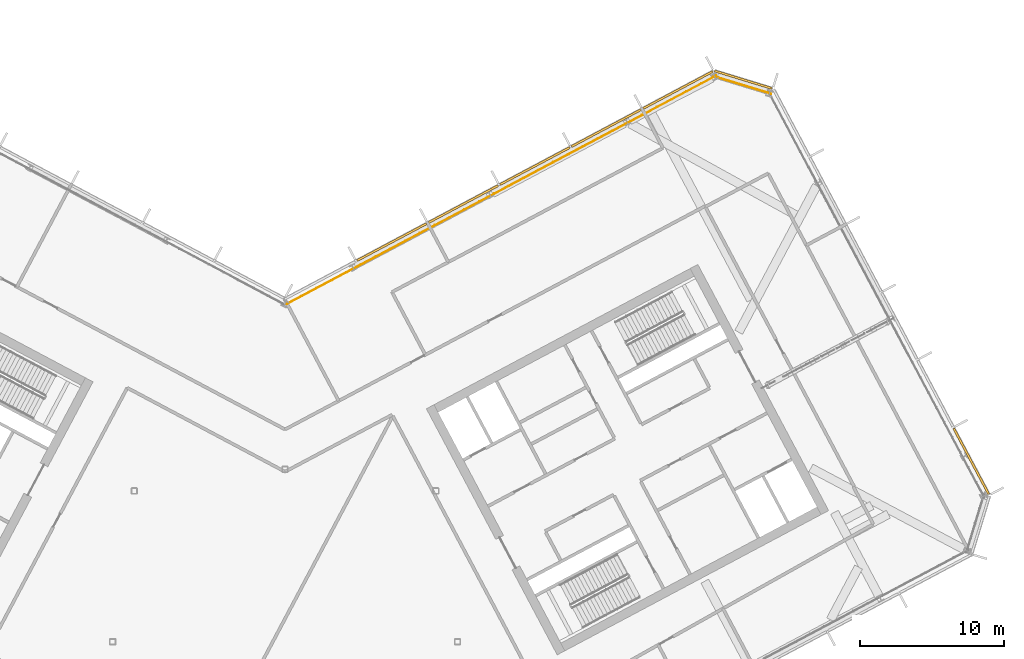
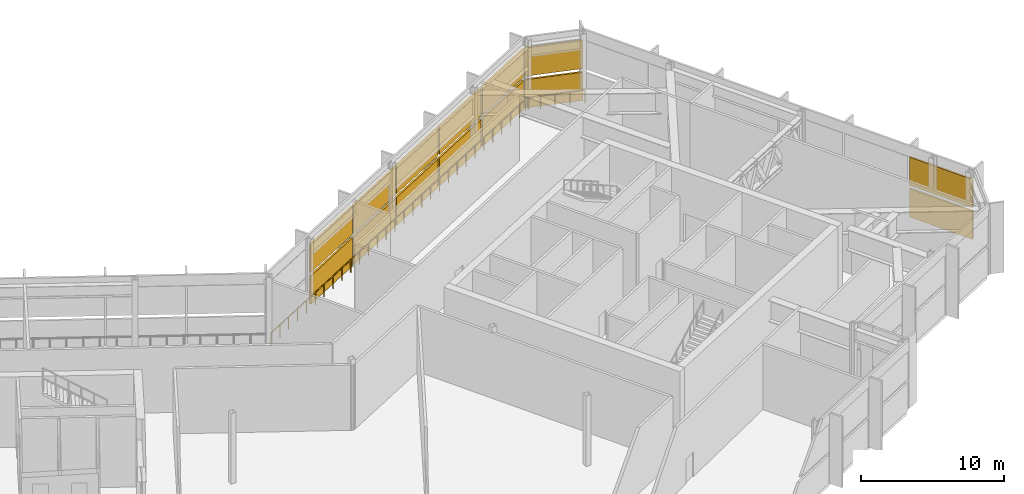
# One storey, part 32 of 33: 14 shading devices, 2 railings, 3 elements without a shape of their own.
"""IFC4 building model written with IfcOpenShell, lengths in metres."""

from ifc_helpers import new_model, si_unit, direction, frame, origin, origin_2d, place, context, subcontext, project, spatial, polyline, rectangle, outline, extrude, material, layer, layer_set, type_object, element, aggregate, save


model = new_model("IFC4")

# Units and contexts
model_context = context("Model", 3, precision=1e-05, world=origin(), true_north=direction((0.0, 1.0)))
body_context = subcontext(model_context, "Body", "Model", "MODEL_VIEW")
ifc_project = project(units=[si_unit("LENGTHUNIT", "METRE"), si_unit("AREAUNIT", "SQUARE_METRE"), si_unit("VOLUMEUNIT", "CUBIC_METRE"), si_unit("PLANEANGLEUNIT", "RADIAN"), si_unit("MASSUNIT", "GRAM", prefix="KILO")], contexts=[model_context])

# Site, building, storey
site_placement = place(None, origin())
site = spatial("IfcSite", under=ifc_project, at=site_placement, CompositionType="ELEMENT")
building_placement = place(site_placement, origin())
building = spatial("IfcBuilding", under=site, at=building_placement, Name="Cormorant Relay Tower", CompositionType="ELEMENT")
storey_placement = place(building_placement, frame((0.0, 0.0, 252.0)))
storey = spatial("IfcBuildingStorey", under=building, at=storey_placement, Name="L56", CompositionType="ELEMENT", Elevation=252.0)

# Railings
ifc_material_1 = material(Name="Stainless steel 316 guard", Category="steel")
railing_type = type_object("IfcRailingType", Name="Band louvre guard 1100", PredefinedType="GUARDRAIL", material=ifc_material_1)
railing_1_placement = place(storey_placement, frame((33.84326171875, 38.140869140625, 0.0)))
element("IfcRailing", 1, at=railing_1_placement, inside=storey, type_object=railing_type, Name="CW4 guard 7", PredefinedType="GUARDRAIL", context=body_context, shape_type="SweptSolid", body=[
    extrude(outline(polyline([(0.022216796875, 0.00927734375), (0.00927734375, 0.022216796875), (-0.00927734375, 0.022216796875), (-0.022216796875, 0.00927734375), (-0.022216796875, -0.00927734375), (-0.00927734375, -0.022216796875), (0.00927734375, -0.022216796875), (0.022216796875, -0.00927734375), (0.022216796875, 0.00927734375)])), frame((0.0, 0.0, 1.076171875), z_axis=(-0.956319849341, 0.292322331949, 0.0), x_axis=(-0.292322331949, -0.956319849341, 0.0)), (0.0, 0.0, 1.0), 4.24267578125),
    extrude(outline(polyline([(0.019287109375, 0.008056640625), (0.008056640625, 0.019287109375), (-0.008056640625, 0.019287109375), (-0.019287109375, 0.008056640625), (-0.019287109375, -0.008056640625), (-0.008056640625, -0.019287109375), (0.008056640625, -0.019287109375), (0.019287109375, -0.008056640625), (0.019287109375, 0.008056640625)])), origin(), (0.0, 0.0, 1.0), 1.052001953125),
    extrude(outline(polyline([(0.019287109375, 0.008056640625), (0.008056640625, 0.019287109375), (-0.008056640625, 0.019287109375), (-0.019287109375, 0.008056640625), (-0.019287109375, -0.008056640625), (-0.008056640625, -0.019287109375), (0.008056640625, -0.019287109375), (0.019287109375, -0.008056640625), (0.019287109375, 0.008056640625)])), frame((-1.014404296875, 0.31005859375, 0.0)), (0.0, 0.0, 1.0), 1.052001953125),
    extrude(outline(polyline([(0.019287109375, 0.008056640625), (0.008056640625, 0.019287109375), (-0.008056640625, 0.019287109375), (-0.019287109375, 0.008056640625), (-0.019287109375, -0.008056640625), (-0.008056640625, -0.019287109375), (0.008056640625, -0.019287109375), (0.019287109375, -0.008056640625), (0.019287109375, 0.008056640625)])), frame((-2.02880859375, 0.6201171875, 0.0)), (0.0, 0.0, 1.0), 1.052001953125),
    extrude(outline(polyline([(0.019287109375, 0.008056640625), (0.008056640625, 0.019287109375), (-0.008056640625, 0.019287109375), (-0.019287109375, 0.008056640625), (-0.019287109375, -0.008056640625), (-0.008056640625, -0.019287109375), (0.008056640625, -0.019287109375), (0.019287109375, -0.008056640625), (0.019287109375, 0.008056640625)])), frame((-3.04296875, 0.93017578125, 0.0)), (0.0, 0.0, 1.0), 1.052001953125),
    extrude(outline(polyline([(0.019287109375, 0.008056640625), (0.008056640625, 0.019287109375), (-0.008056640625, 0.019287109375), (-0.019287109375, 0.008056640625), (-0.019287109375, -0.008056640625), (-0.008056640625, -0.019287109375), (0.008056640625, -0.019287109375), (0.019287109375, -0.008056640625), (0.019287109375, 0.008056640625)])), frame((-4.057373046875, 1.240234375, 0.0)), (0.0, 0.0, 1.0), 1.052001953125),
])
railing_2_placement = place(storey_placement, frame((30.0146484375, 39.4033203125, 0.0)))
element("IfcRailing", 2, at=railing_2_placement, inside=storey, type_object=railing_type, Name="CW4 guard 8", PredefinedType="GUARDRAIL", context=body_context, shape_type="SweptSolid", body=[
    extrude(outline(polyline([(0.022216796875, 0.00927734375), (0.00927734375, 0.022216796875), (-0.00927734375, 0.022216796875), (-0.022216796875, 0.00927734375), (-0.022216796875, -0.00927734375), (-0.00927734375, -0.022216796875), (0.00927734375, -0.022216796875), (0.022216796875, -0.00927734375), (0.022216796875, 0.00927734375)])), frame((0.0, 0.0, 1.076171875), z_axis=(-0.882946280328, -0.46947403129, 0.0), x_axis=(0.46947403129, -0.882946280328, 0.0)), (0.0, 0.0, 1.0), 33.834228515625),
    extrude(outline(polyline([(0.019287109375, 0.008056640625), (0.008056640625, 0.019287109375), (-0.008056640625, 0.019287109375), (-0.019287109375, 0.008056640625), (-0.019287109375, -0.008056640625), (-0.008056640625, -0.019287109375), (0.008056640625, -0.019287109375), (0.019287109375, -0.008056640625), (0.019287109375, 0.008056640625)])), origin(), (0.0, 0.0, 1.0), 1.052001953125),
    extrude(outline(polyline([(0.019287109375, 0.008056640625), (0.008056640625, 0.019287109375), (-0.008056640625, 0.019287109375), (-0.019287109375, 0.008056640625), (-0.019287109375, -0.008056640625), (-0.008056640625, -0.019287109375), (0.008056640625, -0.019287109375), (0.019287109375, -0.008056640625), (0.019287109375, 0.008056640625)])), frame((-1.030029296875, -0.5478515625, 0.0)), (0.0, 0.0, 1.0), 1.052001953125),
    extrude(outline(polyline([(0.019287109375, 0.008056640625), (0.008056640625, 0.019287109375), (-0.008056640625, 0.019287109375), (-0.019287109375, 0.008056640625), (-0.019287109375, -0.008056640625), (-0.008056640625, -0.019287109375), (0.008056640625, -0.019287109375), (0.019287109375, -0.008056640625), (0.019287109375, 0.008056640625)])), frame((-2.060302734375, -1.095458984375, 0.0)), (0.0, 0.0, 1.0), 1.052001953125),
    extrude(outline(polyline([(0.019287109375, 0.008056640625), (0.008056640625, 0.019287109375), (-0.008056640625, 0.019287109375), (-0.019287109375, 0.008056640625), (-0.019287109375, -0.008056640625), (-0.008056640625, -0.019287109375), (0.008056640625, -0.019287109375), (0.019287109375, -0.008056640625), (0.019287109375, 0.008056640625)])), frame((-3.09033203125, -1.643310546875, 0.0)), (0.0, 0.0, 1.0), 1.052001953125),
    extrude(outline(polyline([(0.019287109375, 0.008056640625), (0.008056640625, 0.019287109375), (-0.008056640625, 0.019287109375), (-0.019287109375, 0.008056640625), (-0.019287109375, -0.008056640625), (-0.008056640625, -0.019287109375), (0.008056640625, -0.019287109375), (0.019287109375, -0.008056640625), (0.019287109375, 0.008056640625)])), frame((-4.12060546875, -2.19091796875, 0.0)), (0.0, 0.0, 1.0), 1.052001953125),
    extrude(outline(polyline([(0.019287109375, 0.008056640625), (0.008056640625, 0.019287109375), (-0.008056640625, 0.019287109375), (-0.019287109375, 0.008056640625), (-0.019287109375, -0.008056640625), (-0.008056640625, -0.019287109375), (0.008056640625, -0.019287109375), (0.019287109375, -0.008056640625), (0.019287109375, 0.008056640625)])), frame((-5.150634765625, -2.73876953125, 0.0)), (0.0, 0.0, 1.0), 1.052001953125),
    extrude(outline(polyline([(0.019287109375, 0.008056640625), (0.008056640625, 0.019287109375), (-0.008056640625, 0.019287109375), (-0.019287109375, 0.008056640625), (-0.019287109375, -0.008056640625), (-0.008056640625, -0.019287109375), (0.008056640625, -0.019287109375), (0.019287109375, -0.008056640625), (0.019287109375, 0.008056640625)])), frame((-6.1806640625, -3.286376953125, 0.0)), (0.0, 0.0, 1.0), 1.052001953125),
    extrude(outline(polyline([(0.019287109375, 0.008056640625), (0.008056640625, 0.019287109375), (-0.008056640625, 0.019287109375), (-0.019287109375, 0.008056640625), (-0.019287109375, -0.008056640625), (-0.008056640625, -0.019287109375), (0.008056640625, -0.019287109375), (0.019287109375, -0.008056640625), (0.019287109375, 0.008056640625)])), frame((-7.2109375, -3.834228515625, 0.0)), (0.0, 0.0, 1.0), 1.052001953125),
    extrude(outline(polyline([(0.019287109375, 0.008056640625), (0.008056640625, 0.019287109375), (-0.008056640625, 0.019287109375), (-0.019287109375, 0.008056640625), (-0.019287109375, -0.008056640625), (-0.008056640625, -0.019287109375), (0.008056640625, -0.019287109375), (0.019287109375, -0.008056640625), (0.019287109375, 0.008056640625)])), frame((-8.240966796875, -4.3818359375, 0.0)), (0.0, 0.0, 1.0), 1.052001953125),
    extrude(outline(polyline([(0.019287109375, 0.008056640625), (0.008056640625, 0.019287109375), (-0.008056640625, 0.019287109375), (-0.019287109375, 0.008056640625), (-0.019287109375, -0.008056640625), (-0.008056640625, -0.019287109375), (0.008056640625, -0.019287109375), (0.019287109375, -0.008056640625), (0.019287109375, 0.008056640625)])), frame((-9.271240234375, -4.9296875, 0.0)), (0.0, 0.0, 1.0), 1.052001953125),
    extrude(outline(polyline([(0.019287109375, 0.008056640625), (0.008056640625, 0.019287109375), (-0.008056640625, 0.019287109375), (-0.019287109375, 0.008056640625), (-0.019287109375, -0.008056640625), (-0.008056640625, -0.019287109375), (0.008056640625, -0.019287109375), (0.019287109375, -0.008056640625), (0.019287109375, 0.008056640625)])), frame((-10.30126953125, -5.477294921875, 0.0)), (0.0, 0.0, 1.0), 1.052001953125),
    extrude(outline(polyline([(0.019287109375, 0.008056640625), (0.008056640625, 0.019287109375), (-0.008056640625, 0.019287109375), (-0.019287109375, 0.008056640625), (-0.019287109375, -0.008056640625), (-0.008056640625, -0.019287109375), (0.008056640625, -0.019287109375), (0.019287109375, -0.008056640625), (0.019287109375, 0.008056640625)])), frame((-11.33154296875, -6.025146484375, 0.0)), (0.0, 0.0, 1.0), 1.052001953125),
    extrude(outline(polyline([(0.019287109375, 0.008056640625), (0.008056640625, 0.019287109375), (-0.008056640625, 0.019287109375), (-0.019287109375, 0.008056640625), (-0.019287109375, -0.008056640625), (-0.008056640625, -0.019287109375), (0.008056640625, -0.019287109375), (0.019287109375, -0.008056640625), (0.019287109375, 0.008056640625)])), frame((-12.361572265625, -6.57275390625, 0.0)), (0.0, 0.0, 1.0), 1.052001953125),
    extrude(outline(polyline([(0.019287109375, 0.008056640625), (0.008056640625, 0.019287109375), (-0.008056640625, 0.019287109375), (-0.019287109375, 0.008056640625), (-0.019287109375, -0.008056640625), (-0.008056640625, -0.019287109375), (0.008056640625, -0.019287109375), (0.019287109375, -0.008056640625), (0.019287109375, 0.008056640625)])), frame((-13.3916015625, -7.12060546875, 0.0)), (0.0, 0.0, 1.0), 1.052001953125),
    extrude(outline(polyline([(0.019287109375, 0.008056640625), (0.008056640625, 0.019287109375), (-0.008056640625, 0.019287109375), (-0.019287109375, 0.008056640625), (-0.019287109375, -0.008056640625), (-0.008056640625, -0.019287109375), (0.008056640625, -0.019287109375), (0.019287109375, -0.008056640625), (0.019287109375, 0.008056640625)])), frame((-14.421875, -7.668212890625, 0.0)), (0.0, 0.0, 1.0), 1.052001953125),
    extrude(outline(polyline([(0.019287109375, 0.008056640625), (0.008056640625, 0.019287109375), (-0.008056640625, 0.019287109375), (-0.019287109375, 0.008056640625), (-0.019287109375, -0.008056640625), (-0.008056640625, -0.019287109375), (0.008056640625, -0.019287109375), (0.019287109375, -0.008056640625), (0.019287109375, 0.008056640625)])), frame((-15.451904296875, -8.216064453125, 0.0)), (0.0, 0.0, 1.0), 1.052001953125),
    extrude(outline(polyline([(0.019287109375, 0.008056640625), (0.008056640625, 0.019287109375), (-0.008056640625, 0.019287109375), (-0.019287109375, 0.008056640625), (-0.019287109375, -0.008056640625), (-0.008056640625, -0.019287109375), (0.008056640625, -0.019287109375), (0.019287109375, -0.008056640625), (0.019287109375, 0.008056640625)])), frame((-16.482177734375, -8.763671875, 0.0)), (0.0, 0.0, 1.0), 1.052001953125),
    extrude(outline(polyline([(0.019287109375, 0.008056640625), (0.008056640625, 0.019287109375), (-0.008056640625, 0.019287109375), (-0.019287109375, 0.008056640625), (-0.019287109375, -0.008056640625), (-0.008056640625, -0.019287109375), (0.008056640625, -0.019287109375), (0.019287109375, -0.008056640625), (0.019287109375, 0.008056640625)])), frame((-17.51220703125, -9.3115234375, 0.0)), (0.0, 0.0, 1.0), 1.052001953125),
    extrude(outline(polyline([(0.019287109375, 0.008056640625), (0.008056640625, 0.019287109375), (-0.008056640625, 0.019287109375), (-0.019287109375, 0.008056640625), (-0.019287109375, -0.008056640625), (-0.008056640625, -0.019287109375), (0.008056640625, -0.019287109375), (0.019287109375, -0.008056640625), (0.019287109375, 0.008056640625)])), frame((-18.542236328125, -9.859130859375, 0.0)), (0.0, 0.0, 1.0), 1.052001953125),
    extrude(outline(polyline([(0.019287109375, 0.008056640625), (0.008056640625, 0.019287109375), (-0.008056640625, 0.019287109375), (-0.019287109375, 0.008056640625), (-0.019287109375, -0.008056640625), (-0.008056640625, -0.019287109375), (0.008056640625, -0.019287109375), (0.019287109375, -0.008056640625), (0.019287109375, 0.008056640625)])), frame((-19.572509765625, -10.406982421875, 0.0)), (0.0, 0.0, 1.0), 1.052001953125),
    extrude(outline(polyline([(0.019287109375, 0.008056640625), (0.008056640625, 0.019287109375), (-0.008056640625, 0.019287109375), (-0.019287109375, 0.008056640625), (-0.019287109375, -0.008056640625), (-0.008056640625, -0.019287109375), (0.008056640625, -0.019287109375), (0.019287109375, -0.008056640625), (0.019287109375, 0.008056640625)])), frame((-20.6025390625, -10.95458984375, 0.0)), (0.0, 0.0, 1.0), 1.052001953125),
    extrude(outline(polyline([(0.019287109375, 0.008056640625), (0.008056640625, 0.019287109375), (-0.008056640625, 0.019287109375), (-0.019287109375, 0.008056640625), (-0.019287109375, -0.008056640625), (-0.008056640625, -0.019287109375), (0.008056640625, -0.019287109375), (0.019287109375, -0.008056640625), (0.019287109375, 0.008056640625)])), frame((-21.6328125, -11.50244140625, 0.0)), (0.0, 0.0, 1.0), 1.052001953125),
    extrude(outline(polyline([(0.019287109375, 0.008056640625), (0.008056640625, 0.019287109375), (-0.008056640625, 0.019287109375), (-0.019287109375, 0.008056640625), (-0.019287109375, -0.008056640625), (-0.008056640625, -0.019287109375), (0.008056640625, -0.019287109375), (0.019287109375, -0.008056640625), (0.019287109375, 0.008056640625)])), frame((-22.662841796875, -12.050048828125, 0.0)), (0.0, 0.0, 1.0), 1.052001953125),
    extrude(outline(polyline([(0.019287109375, 0.008056640625), (0.008056640625, 0.019287109375), (-0.008056640625, 0.019287109375), (-0.019287109375, 0.008056640625), (-0.019287109375, -0.008056640625), (-0.008056640625, -0.019287109375), (0.008056640625, -0.019287109375), (0.019287109375, -0.008056640625), (0.019287109375, 0.008056640625)])), frame((-23.693115234375, -12.597900390625, 0.0)), (0.0, 0.0, 1.0), 1.052001953125),
    extrude(outline(polyline([(0.019287109375, 0.008056640625), (0.008056640625, 0.019287109375), (-0.008056640625, 0.019287109375), (-0.019287109375, 0.008056640625), (-0.019287109375, -0.008056640625), (-0.008056640625, -0.019287109375), (0.008056640625, -0.019287109375), (0.019287109375, -0.008056640625), (0.019287109375, 0.008056640625)])), frame((-24.72314453125, -13.1455078125, 0.0)), (0.0, 0.0, 1.0), 1.052001953125),
    extrude(outline(polyline([(0.019287109375, 0.008056640625), (0.008056640625, 0.019287109375), (-0.008056640625, 0.019287109375), (-0.019287109375, 0.008056640625), (-0.019287109375, -0.008056640625), (-0.008056640625, -0.019287109375), (0.008056640625, -0.019287109375), (0.019287109375, -0.008056640625), (0.019287109375, 0.008056640625)])), frame((-25.753173828125, -13.693359375, 0.0)), (0.0, 0.0, 1.0), 1.052001953125),
    extrude(outline(polyline([(0.019287109375, 0.008056640625), (0.008056640625, 0.019287109375), (-0.008056640625, 0.019287109375), (-0.019287109375, 0.008056640625), (-0.019287109375, -0.008056640625), (-0.008056640625, -0.019287109375), (0.008056640625, -0.019287109375), (0.019287109375, -0.008056640625), (0.019287109375, 0.008056640625)])), frame((-26.783447265625, -14.240966796875, 0.0)), (0.0, 0.0, 1.0), 1.052001953125),
    extrude(outline(polyline([(0.019287109375, 0.008056640625), (0.008056640625, 0.019287109375), (-0.008056640625, 0.019287109375), (-0.019287109375, 0.008056640625), (-0.019287109375, -0.008056640625), (-0.008056640625, -0.019287109375), (0.008056640625, -0.019287109375), (0.019287109375, -0.008056640625), (0.019287109375, 0.008056640625)])), frame((-27.8134765625, -14.788818359375, 0.0)), (0.0, 0.0, 1.0), 1.052001953125),
    extrude(outline(polyline([(0.019287109375, 0.008056640625), (0.008056640625, 0.019287109375), (-0.008056640625, 0.019287109375), (-0.019287109375, 0.008056640625), (-0.019287109375, -0.008056640625), (-0.008056640625, -0.019287109375), (0.008056640625, -0.019287109375), (0.019287109375, -0.008056640625), (0.019287109375, 0.008056640625)])), frame((-28.84375, -15.33642578125, 0.0)), (0.0, 0.0, 1.0), 1.052001953125),
    extrude(outline(polyline([(0.019287109375, 0.008056640625), (0.008056640625, 0.019287109375), (-0.008056640625, 0.019287109375), (-0.019287109375, 0.008056640625), (-0.019287109375, -0.008056640625), (-0.008056640625, -0.019287109375), (0.008056640625, -0.019287109375), (0.019287109375, -0.008056640625), (0.019287109375, 0.008056640625)])), frame((-29.873779296875, -15.88427734375, 0.0)), (0.0, 0.0, 1.0), 1.052001953125),
])

# Curtain wall, shading devices
ifc_material_2 = material(Name="Aluminium 6063-T6 anodised bronze", Category="aluminium")
ifc_layer = layer(ifc_material_2, 0.199951171875)
ifc_layer_set = layer_set([ifc_layer], Name="CW4 band louvre wall")
curtain_wall_type = type_object("IfcCurtainWallType", Name="CW4 band louvre wall", PredefinedType="NOTDEFINED", material=ifc_layer_set)
curtain_wall_1_placement = place(storey_placement, origin())
curtain_wall_1 = element("IfcCurtainWall", 3, at=curtain_wall_1_placement, inside=storey, type_object=curtain_wall_type, Name="CW4 curtain wall 6", PredefinedType="NOTDEFINED")
ifc_material_3 = material(Name="Aluminium 6063-T6 anodised bronze louvre", Category="aluminium")
shading_device_type = type_object("IfcShadingDeviceType", Name="CW4 bronze louvre bank 150 x 2400", PredefinedType="USERDEFINED", material=ifc_material_3)
shading_device_1_placement = place(storey_placement, frame((47.768310546875, 12.56298828125, 2.699951171875), z_axis=(0.0, 0.0, 1.0), x_axis=(-0.469471562786, 0.882947592859, 0.0)))
shading_device_1 = element("IfcShadingDevice", 4, at=shading_device_1_placement, type_object=shading_device_type, Name="CW4 louvre bank U6.1", ObjectType="LOUVRE", PredefinedType="USERDEFINED", context=body_context, shape_type="SweptSolid", body=[
    extrude(rectangle(XDim=5.183349609375, YDim=0.14990234375, at=origin_2d()), origin(), (0.0, 0.0, 1.0), 2.39990234375),
])
shading_device_2_placement = place(storey_placement, frame((47.768310546875, 12.56298828125, 0.0), z_axis=(0.0, 0.0, 1.0), x_axis=(-0.469471562786, 0.882947592859, 0.0)))
shading_device_2 = element("IfcShadingDevice", 5, at=shading_device_2_placement, type_object=shading_device_type, Name="CW4 louvre bank D6.1", ObjectType="LOUVRE", PredefinedType="USERDEFINED", context=body_context, shape_type="SweptSolid", body=[
    extrude(rectangle(XDim=5.183349609375, YDim=0.14990234375, at=origin_2d()), origin(), (0.0, 0.0, 1.0), 2.39990234375),
])
aggregate(curtain_wall_1, [shading_device_1, shading_device_2])

curtain_wall_2_placement = place(storey_placement, origin())
curtain_wall_2 = element("IfcCurtainWall", 6, at=curtain_wall_2_placement, inside=storey, type_object=curtain_wall_type, Name="CW4 curtain wall 7", PredefinedType="NOTDEFINED")
shading_device_3_placement = place(storey_placement, frame((31.888427734375, 39.130615234375, 2.699951171875), z_axis=(0.0, 0.0, 1.0), x_axis=(-0.956304755963, 0.292371704723, 0.0)))
shading_device_3 = element("IfcShadingDevice", 7, at=shading_device_3_placement, type_object=shading_device_type, Name="CW4 louvre bank U7.1", ObjectType="LOUVRE", PredefinedType="USERDEFINED", context=body_context, shape_type="SweptSolid", body=[
    extrude(rectangle(XDim=4.16748046875, YDim=0.14990234375, at=origin_2d()), origin(), (0.0, 0.0, 1.0), 2.39990234375),
])
shading_device_4_placement = place(storey_placement, frame((31.888427734375, 39.130615234375, 0.0), z_axis=(0.0, 0.0, 1.0), x_axis=(-0.956304755963, 0.292371704723, 0.0)))
shading_device_4 = element("IfcShadingDevice", 8, at=shading_device_4_placement, type_object=shading_device_type, Name="CW4 louvre bank D7.1", ObjectType="LOUVRE", PredefinedType="USERDEFINED", context=body_context, shape_type="SweptSolid", body=[
    extrude(rectangle(XDim=4.16748046875, YDim=0.14990234375, at=origin_2d()), origin(), (0.0, 0.0, 1.0), 2.39990234375),
])
aggregate(curtain_wall_2, [shading_device_3, shading_device_4])

curtain_wall_3_placement = place(storey_placement, origin())
curtain_wall_3 = element("IfcCurtainWall", 9, at=curtain_wall_3_placement, inside=storey, type_object=curtain_wall_type, Name="CW4 curtain wall 8", PredefinedType="NOTDEFINED")
shading_device_5_placement = place(storey_placement, frame((27.34912109375, 38.41064453125, 2.699951171875), z_axis=(0.0, 0.0, 1.0), x_axis=(-0.882947592859, -0.469471562786, 0.0)))
shading_device_5 = element("IfcShadingDevice", 10, at=shading_device_5_placement, type_object=shading_device_type, Name="CW4 louvre bank U8.1", ObjectType="LOUVRE", PredefinedType="USERDEFINED", context=body_context, shape_type="SweptSolid", body=[
    extrude(rectangle(XDim=5.489013671875, YDim=0.14990234375, at=origin_2d()), origin(), (0.0, 0.0, 1.0), 2.39990234375),
])
shading_device_6_placement = place(storey_placement, frame((27.34912109375, 38.41064453125, 0.0), z_axis=(0.0, 0.0, 1.0), x_axis=(-0.882947592859, -0.469471562786, 0.0)))
shading_device_6 = element("IfcShadingDevice", 11, at=shading_device_6_placement, type_object=shading_device_type, Name="CW4 louvre bank D8.1", ObjectType="LOUVRE", PredefinedType="USERDEFINED", context=body_context, shape_type="SweptSolid", body=[
    extrude(rectangle(XDim=5.489013671875, YDim=0.14990234375, at=origin_2d()), origin(), (0.0, 0.0, 1.0), 2.39990234375),
])
shading_device_7_placement = place(storey_placement, frame((22.3701171875, 35.76318359375, 2.699951171875), z_axis=(0.0, 0.0, 1.0), x_axis=(-0.882947592859, -0.469471562786, 0.0)))
shading_device_7 = element("IfcShadingDevice", 12, at=shading_device_7_placement, type_object=shading_device_type, Name="CW4 louvre bank U8.2", ObjectType="LOUVRE", PredefinedType="USERDEFINED", context=body_context, shape_type="SweptSolid", body=[
    extrude(rectangle(XDim=5.489013671875, YDim=0.14990234375, at=origin_2d()), origin(), (0.0, 0.0, 1.0), 2.39990234375),
])
shading_device_8_placement = place(storey_placement, frame((22.3701171875, 35.76318359375, 0.0), z_axis=(0.0, 0.0, 1.0), x_axis=(-0.882947592859, -0.469471562786, 0.0)))
shading_device_8 = element("IfcShadingDevice", 13, at=shading_device_8_placement, type_object=shading_device_type, Name="CW4 louvre bank D8.2", ObjectType="LOUVRE", PredefinedType="USERDEFINED", context=body_context, shape_type="SweptSolid", body=[
    extrude(rectangle(XDim=5.489013671875, YDim=0.14990234375, at=origin_2d()), origin(), (0.0, 0.0, 1.0), 2.39990234375),
])
shading_device_9_placement = place(storey_placement, frame((17.39111328125, 33.115966796875, 2.699951171875), z_axis=(0.0, 0.0, 1.0), x_axis=(-0.882947592859, -0.469471562786, 0.0)))
shading_device_9 = element("IfcShadingDevice", 14, at=shading_device_9_placement, type_object=shading_device_type, Name="CW4 louvre bank U8.3", ObjectType="LOUVRE", PredefinedType="USERDEFINED", context=body_context, shape_type="SweptSolid", body=[
    extrude(rectangle(XDim=5.489013671875, YDim=0.14990234375, at=origin_2d()), origin(), (0.0, 0.0, 1.0), 2.39990234375),
])
shading_device_10_placement = place(storey_placement, frame((17.39111328125, 33.115966796875, 0.0), z_axis=(0.0, 0.0, 1.0), x_axis=(-0.882947592859, -0.469471562786, 0.0)))
shading_device_10 = element("IfcShadingDevice", 15, at=shading_device_10_placement, type_object=shading_device_type, Name="CW4 louvre bank D8.3", ObjectType="LOUVRE", PredefinedType="USERDEFINED", context=body_context, shape_type="SweptSolid", body=[
    extrude(rectangle(XDim=5.489013671875, YDim=0.14990234375, at=origin_2d()), origin(), (0.0, 0.0, 1.0), 2.39990234375),
])
shading_device_11_placement = place(storey_placement, frame((12.412109375, 30.468505859375, 2.699951171875), z_axis=(0.0, 0.0, 1.0), x_axis=(-0.882947592859, -0.469471562786, 0.0)))
shading_device_11 = element("IfcShadingDevice", 16, at=shading_device_11_placement, type_object=shading_device_type, Name="CW4 louvre bank U8.4", ObjectType="LOUVRE", PredefinedType="USERDEFINED", context=body_context, shape_type="SweptSolid", body=[
    extrude(rectangle(XDim=5.489013671875, YDim=0.14990234375, at=origin_2d()), origin(), (0.0, 0.0, 1.0), 2.39990234375),
])
shading_device_12_placement = place(storey_placement, frame((12.412109375, 30.468505859375, 0.0), z_axis=(0.0, 0.0, 1.0), x_axis=(-0.882947592859, -0.469471562786, 0.0)))
shading_device_12 = element("IfcShadingDevice", 17, at=shading_device_12_placement, type_object=shading_device_type, Name="CW4 louvre bank D8.4", ObjectType="LOUVRE", PredefinedType="USERDEFINED", context=body_context, shape_type="SweptSolid", body=[
    extrude(rectangle(XDim=5.489013671875, YDim=0.14990234375, at=origin_2d()), origin(), (0.0, 0.0, 1.0), 2.39990234375),
])
shading_device_13_placement = place(storey_placement, frame((7.43310546875, 27.8212890625, 2.699951171875), z_axis=(0.0, 0.0, 1.0), x_axis=(-0.882947592859, -0.469471562786, 0.0)))
shading_device_13 = element("IfcShadingDevice", 18, at=shading_device_13_placement, type_object=shading_device_type, Name="CW4 louvre bank U8.5", ObjectType="LOUVRE", PredefinedType="USERDEFINED", context=body_context, shape_type="SweptSolid", body=[
    extrude(rectangle(XDim=5.489013671875, YDim=0.14990234375, at=origin_2d()), origin(), (0.0, 0.0, 1.0), 2.39990234375),
])
shading_device_14_placement = place(storey_placement, frame((7.43310546875, 27.8212890625, 0.0), z_axis=(0.0, 0.0, 1.0), x_axis=(-0.882947592859, -0.469471562786, 0.0)))
shading_device_14 = element("IfcShadingDevice", 19, at=shading_device_14_placement, type_object=shading_device_type, Name="CW4 louvre bank D8.5", ObjectType="LOUVRE", PredefinedType="USERDEFINED", context=body_context, shape_type="SweptSolid", body=[
    extrude(rectangle(XDim=5.489013671875, YDim=0.14990234375, at=origin_2d()), origin(), (0.0, 0.0, 1.0), 2.39990234375),
])
aggregate(curtain_wall_3, [shading_device_5, shading_device_6, shading_device_7, shading_device_8, shading_device_9, shading_device_10, shading_device_11, shading_device_12, shading_device_13, shading_device_14])

save(model, "model.ifc")
